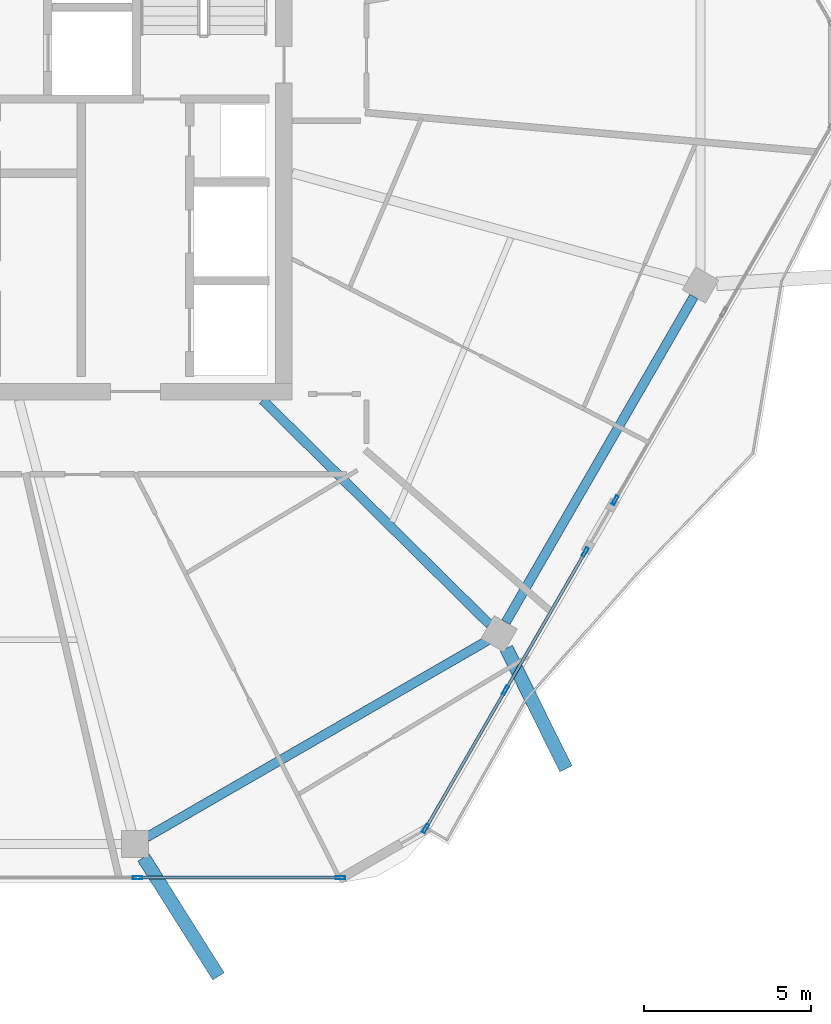
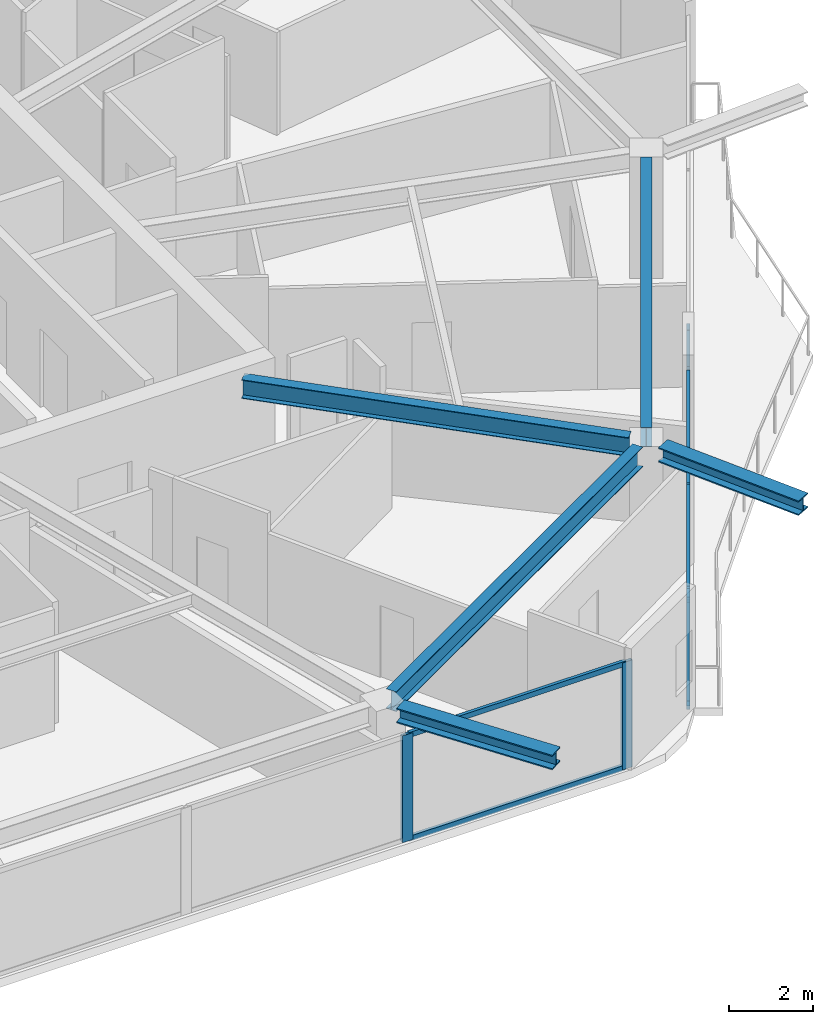
# One storey, part 5 of 19: 12 members, 5 beams, 3 elements without a shape of their own.
"""IFC4 building model written with IfcOpenShell, lengths in metres."""

from ifc_helpers import new_model, si_unit, direction, frame, origin, origin_2d, place, context, subcontext, project, spatial, hollow_rectangle, i_section, extrude, material, material_profile, profile_set, type_object, element, aggregate, save


model = new_model("IFC4")

# Units and contexts
model_context = context("Model", 3, precision=1e-05, world=origin(), true_north=direction((0.0, 1.0)))
body_context = subcontext(model_context, "Body", "Model", "MODEL_VIEW")
ifc_project = project(units=[si_unit("LENGTHUNIT", "METRE"), si_unit("AREAUNIT", "SQUARE_METRE"), si_unit("VOLUMEUNIT", "CUBIC_METRE"), si_unit("PLANEANGLEUNIT", "RADIAN"), si_unit("MASSUNIT", "GRAM", prefix="KILO")], contexts=[model_context])

# Site, building, storey
site_placement = place(None, origin())
site = spatial("IfcSite", under=ifc_project, at=site_placement, CompositionType="ELEMENT")
building_placement = place(site_placement, origin())
building = spatial("IfcBuilding", under=site, at=building_placement, Name="Zuhravey Tower", CompositionType="ELEMENT")
storey_placement = place(building_placement, frame((0.0, 0.0, 327.199951171875)))
storey = spatial("IfcBuildingStorey", under=building, at=storey_placement, Name="L83", CompositionType="ELEMENT", Elevation=327.199951171875)

# Curtain wall, member
ifc_material_1 = material(Name="Thermally broken anodised aluminium", Category="aluminium")
curtain_wall_type = type_object("IfcCurtainWallType", Name="Zone 3-4 High-Rise Curtain Wall CW4", PredefinedType="NOTDEFINED", material=ifc_material_1)
curtain_wall_1_placement = place(storey_placement, origin())
curtain_wall_1 = element("IfcCurtainWall", 1, at=curtain_wall_1_placement, inside=storey, type_object=curtain_wall_type, Name="L83 CW4 CW-L83-F6-1", PredefinedType="NOTDEFINED")
ifc_material_2 = material(Name="Anodised aluminium", Category="aluminium")
ifc_material_profile_1 = material_profile(ifc_material_2, hollow_rectangle(XDim=0.090087890625, YDim=0.284912109375, WallThickness=0.0048828125, at=origin_2d()), Name="ALU-RHS-90x285x5")
ifc_profile_set_1 = profile_set([ifc_material_profile_1], Name="Anodised aluminium")
member_type_1 = type_object("IfcMemberType", Name="Curtain-Wall Mullion 90x180", PredefinedType="MULLION", material=ifc_profile_set_1)
member_1_placement = place(storey_placement, frame((56.43212890625, 19.241455078125, 0.0), z_axis=(0.0, 0.0, 1.0), x_axis=(0.866027278532, -0.499996752827, 0.0)))
member_1 = element("IfcMember", 2, at=member_1_placement, type_object=member_type_1, Name="CW4 mullion 3", PredefinedType="MULLION", context=body_context, shape_type="SweptSolid", body=[
    extrude(hollow_rectangle(XDim=0.090087890625, YDim=0.284912109375, WallThickness=0.0048828125, at=origin_2d()), origin(), (0.0, 0.0, 1.0), 3.1220703125),
])
aggregate(curtain_wall_1, [member_1])

# Curtain wall, members
curtain_wall_2_placement = place(storey_placement, origin())
curtain_wall_2 = element("IfcCurtainWall", 3, at=curtain_wall_2_placement, inside=storey, type_object=curtain_wall_type, Name="L83 CW4 CW-L83-F6-2", PredefinedType="NOTDEFINED")
member_2_placement = place(storey_placement, frame((55.537109375, 17.691162109375, 0.0), z_axis=(0.0, 0.0, 1.0), x_axis=(0.866024248872, -0.500002000362, 0.0)))
member_2 = element("IfcMember", 4, at=member_2_placement, type_object=member_type_1, Name="CW4 mullion 1", PredefinedType="MULLION", context=body_context, shape_type="SweptSolid", body=[
    extrude(hollow_rectangle(XDim=0.090087890625, YDim=0.284912109375, WallThickness=0.0048828125, at=origin_2d()), origin(), (0.0, 0.0, 1.0), 3.1220703125),
])
member_3_placement = place(storey_placement, frame((53.144287109375, 13.546875, 0.0), z_axis=(0.0, 0.0, 1.0), x_axis=(0.866024248872, -0.500002000362, 0.0)))
member_3 = element("IfcMember", 5, at=member_3_placement, type_object=member_type_1, Name="CW4 mullion 2", PredefinedType="MULLION", context=body_context, shape_type="SweptSolid", body=[
    extrude(hollow_rectangle(XDim=0.090087890625, YDim=0.284912109375, WallThickness=0.0048828125, at=origin_2d()), origin(), (0.0, 0.0, 1.0), 3.1220703125),
])
member_4_placement = place(storey_placement, frame((50.751708984375, 9.40234375, 0.0), z_axis=(0.0, 0.0, 1.0), x_axis=(0.866024248872, -0.500002000362, 0.0)))
member_4 = element("IfcMember", 6, at=member_4_placement, type_object=member_type_1, Name="CW4 mullion 3", PredefinedType="MULLION", context=body_context, shape_type="SweptSolid", body=[
    extrude(hollow_rectangle(XDim=0.090087890625, YDim=0.284912109375, WallThickness=0.0048828125, at=origin_2d()), origin(), (0.0, 0.0, 1.0), 3.1220703125),
])

curtain_wall_3_placement = place(storey_placement, origin())
curtain_wall_3 = element("IfcCurtainWall", 7, at=curtain_wall_3_placement, inside=storey, type_object=curtain_wall_type, Name="L83 CW4 CW-L83-F5-1", PredefinedType="NOTDEFINED")
member_5_placement = place(storey_placement, frame((48.1943359375, 7.92578125, 0.0), z_axis=(0.0, 0.0, 1.0), x_axis=(0.0, -1.0, 0.0)))
member_5 = element("IfcMember", 8, at=member_5_placement, type_object=member_type_1, Name="CW4 mullion 1", PredefinedType="MULLION", context=body_context, shape_type="SweptSolid", body=[
    extrude(hollow_rectangle(XDim=0.090087890625, YDim=0.284912109375, WallThickness=0.0048828125, at=origin_2d()), origin(), (0.0, 0.0, 1.0), 3.1220703125),
])
member_6_placement = place(storey_placement, frame((42.11962890625, 7.92578125, 0.0), z_axis=(0.0, 0.0, 1.0), x_axis=(0.0, -1.0, 0.0)))
member_6 = element("IfcMember", 9, at=member_6_placement, type_object=member_type_1, Name="CW4 mullion 2", PredefinedType="MULLION", context=body_context, shape_type="SweptSolid", body=[
    extrude(hollow_rectangle(XDim=0.090087890625, YDim=0.284912109375, WallThickness=0.0048828125, at=origin_2d()), origin(), (0.0, 0.0, 1.0), 3.1220703125),
])

# Member
ifc_material_profile_2 = material_profile(ifc_material_2, hollow_rectangle(XDim=0.090087890625, YDim=0.14990234375, WallThickness=0.0048828125, at=origin_2d()), Name="ALU-RHS-90x150x5")
ifc_profile_set_2 = profile_set([ifc_material_profile_2], Name="Anodised aluminium")
member_type_2 = type_object("IfcMemberType", Name="Curtain-Wall Transom 90x150", PredefinedType="USERDEFINED", material=ifc_profile_set_2)
member_7_placement = place(storey_placement, frame((55.5146484375, 17.65234375, 0.045166015625), z_axis=(-0.499963990544, -0.866046192855, 0.0), x_axis=(0.866046192855, -0.499963990544, 0.0)))
member_7 = element("IfcMember", 10, at=member_7_placement, type_object=member_type_2, Name="CW4 transom 1.1", ObjectType="TRANSOM", PredefinedType="USERDEFINED", context=body_context, shape_type="SweptSolid", body=[
    extrude(hollow_rectangle(XDim=0.090087890625, YDim=0.14990234375, WallThickness=0.0048828125, at=origin_2d()), origin(), (0.0, 0.0, 1.0), 4.695556640625),
])

member_8_placement = place(storey_placement, frame((55.5146484375, 17.65234375, 3.0771484375), z_axis=(-0.499963990544, -0.866046192855, 0.0), x_axis=(0.866046192855, -0.499963990544, 0.0)))
member_8 = element("IfcMember", 11, at=member_8_placement, type_object=member_type_2, Name="CW4 transom 1.2", ObjectType="TRANSOM", PredefinedType="USERDEFINED", context=body_context, shape_type="SweptSolid", body=[
    extrude(hollow_rectangle(XDim=0.090087890625, YDim=0.14990234375, WallThickness=0.0048828125, at=origin_2d()), origin(), (0.0, 0.0, 1.0), 4.695556640625),
])

member_9_placement = place(storey_placement, frame((53.121826171875, 13.5078125, 0.045166015625), z_axis=(-0.499986503906, -0.866033195618, 0.0), x_axis=(0.866033195618, -0.499986503906, 0.0)))
member_9 = element("IfcMember", 12, at=member_9_placement, type_object=member_type_2, Name="CW4 transom 2.1", ObjectType="TRANSOM", PredefinedType="USERDEFINED", context=body_context, shape_type="SweptSolid", body=[
    extrude(hollow_rectangle(XDim=0.090087890625, YDim=0.14990234375, WallThickness=0.0048828125, at=origin_2d()), origin(), (0.0, 0.0, 1.0), 4.695556640625),
])

member_10_placement = place(storey_placement, frame((53.121826171875, 13.5078125, 3.0771484375), z_axis=(-0.499986503906, -0.866033195618, 0.0), x_axis=(0.866033195618, -0.499986503906, 0.0)))
member_10 = element("IfcMember", 13, at=member_10_placement, type_object=member_type_2, Name="CW4 transom 2.2", ObjectType="TRANSOM", PredefinedType="USERDEFINED", context=body_context, shape_type="SweptSolid", body=[
    extrude(hollow_rectangle(XDim=0.090087890625, YDim=0.14990234375, WallThickness=0.0048828125, at=origin_2d()), origin(), (0.0, 0.0, 1.0), 4.695556640625),
])

aggregate(curtain_wall_2, [member_2, member_3, member_4, member_7, member_8, member_9, member_10])

member_11_placement = place(storey_placement, frame((48.1494140625, 7.92578125, 0.045166015625), z_axis=(-1.0, 0.0, 0.0), x_axis=(0.0, -1.0, 0.0)))
member_11 = element("IfcMember", 14, at=member_11_placement, type_object=member_type_2, Name="CW4 transom 1.1", ObjectType="TRANSOM", PredefinedType="USERDEFINED", context=body_context, shape_type="SweptSolid", body=[
    extrude(hollow_rectangle(XDim=0.090087890625, YDim=0.14990234375, WallThickness=0.0048828125, at=origin_2d()), origin(), (0.0, 0.0, 1.0), 5.98486328125),
])

member_12_placement = place(storey_placement, frame((48.1494140625, 7.92578125, 3.0771484375), z_axis=(-1.0, 0.0, 0.0), x_axis=(0.0, -1.0, 0.0)))
member_12 = element("IfcMember", 15, at=member_12_placement, type_object=member_type_2, Name="CW4 transom 1.2", ObjectType="TRANSOM", PredefinedType="USERDEFINED", context=body_context, shape_type="SweptSolid", body=[
    extrude(hollow_rectangle(XDim=0.090087890625, YDim=0.14990234375, WallThickness=0.0048828125, at=origin_2d()), origin(), (0.0, 0.0, 1.0), 5.98486328125),
])

aggregate(curtain_wall_3, [member_5, member_6, member_11, member_12])

# Beams
ifc_material_3 = material(Name="Steel SM460", Category="steel")
ifc_material_profile_3 = material_profile(ifc_material_3, i_section(OverallWidth=0.406982421875, OverallDepth=0.427978515625, WebThickness=0.02001953125, FlangeThickness=0.034912109375, at=origin_2d()), Name="H-428x407x20x35")
ifc_profile_set_3 = profile_set([ifc_material_profile_3], Name="Steel SM460")
beam_type_1 = type_object("IfcBeamType", Name="Exoskeleton Node Tie Beam H428x407", PredefinedType="BEAM", material=ifc_profile_set_3)
beam_1_placement = place(storey_placement, frame((42.293212890625, 8.532470703125, 3.3359375), z_axis=(0.533546052647, -0.845771014935, 0.0), x_axis=(0.845771014935, 0.533546052647, 0.0)))
element("IfcBeam", 16, at=beam_1_placement, inside=storey, type_object=beam_type_1, Name="L83 Exoskeleton Node Tie NT1-10", PredefinedType="BEAM", context=body_context, shape_type="SweptSolid", body=[
    extrude(i_section(OverallWidth=0.406982421875, OverallDepth=0.427978515625, WebThickness=0.02001953125, FlangeThickness=0.034912109375, at=origin_2d()), origin(), (0.0, 0.0, 1.0), 4.2138671875),
])
beam_2_placement = place(storey_placement, frame((53.169677734375, 14.803955078125, 3.3359375), z_axis=(0.443647780465, -0.896201231247, 0.0), x_axis=(0.896201231247, 0.443647780465, 0.0)))
element("IfcBeam", 17, at=beam_2_placement, inside=storey, type_object=beam_type_1, Name="L83 Exoskeleton Node Tie NT1-11", PredefinedType="BEAM", context=body_context, shape_type="SweptSolid", body=[
    extrude(i_section(OverallWidth=0.406982421875, OverallDepth=0.427978515625, WebThickness=0.02001953125, FlangeThickness=0.034912109375, at=origin_2d()), origin(), (0.0, 0.0, 1.0), 4.02978515625),
])
ifc_material_4 = material(Name="Steel SM355", Category="steel")
ifc_material_profile_4 = material_profile(ifc_material_4, i_section(OverallWidth=0.280029296875, OverallDepth=0.580078125, WebThickness=0.011962890625, FlangeThickness=0.01904296875, at=origin_2d()), Name="H-580x280x12x19")
ifc_profile_set_4 = profile_set([ifc_material_profile_4], Name="Steel SM355")
beam_type_2 = type_object("IfcBeamType", Name="Perimeter Ring Beam H580x280", PredefinedType="BEAM", material=ifc_profile_set_4)
beam_3_placement = place(storey_placement, frame((42.3876953125, 9.137451171875, 3.260009765625), z_axis=(0.866023977509, 0.500002470373, 0.0), x_axis=(-0.500002470373, 0.866023977509, 0.0)))
element("IfcBeam", 18, at=beam_3_placement, inside=storey, type_object=beam_type_2, Name="L83 PB4 BM-L83-PB-10", PredefinedType="BEAM", context=body_context, shape_type="SweptSolid", body=[
    extrude(i_section(OverallWidth=0.280029296875, OverallDepth=0.580078125, WebThickness=0.011962890625, FlangeThickness=0.01904296875, at=origin_2d()), origin(), (0.0, 0.0, 1.0), 11.798828125),
])
beam_4_placement = place(storey_placement, frame((53.15625, 15.58740234375, 3.260009765625), z_axis=(0.500006198144, 0.866021825255, 0.0), x_axis=(-0.866021825255, 0.500006198144, 0.0)))
element("IfcBeam", 19, at=beam_4_placement, inside=storey, type_object=beam_type_2, Name="L83 PB4 BM-L83-PB-11", PredefinedType="BEAM", context=body_context, shape_type="SweptSolid", body=[
    extrude(i_section(OverallWidth=0.280029296875, OverallDepth=0.580078125, WebThickness=0.011962890625, FlangeThickness=0.01904296875, at=origin_2d()), origin(), (0.0, 0.0, 1.0), 11.271240234375),
])
ifc_material_profile_5 = material_profile(ifc_material_4, i_section(OverallWidth=0.280029296875, OverallDepth=0.550048828125, WebThickness=0.010986328125, FlangeThickness=0.01806640625, at=origin_2d()), Name="H-550x280x11x18")
ifc_profile_set_5 = profile_set([ifc_material_profile_5], Name="Steel SM355")
beam_type_3 = type_object("IfcBeamType", Name="Radial Primary Girder H550x280", PredefinedType="BEAM", material=ifc_profile_set_5)
beam_5_placement = place(storey_placement, frame((45.865234375, 22.2470703125, 3.275146484375), z_axis=(0.711153035666, -0.703037239314, 0.0), x_axis=(0.703037239314, 0.711153035666, 0.0)))
element("IfcBeam", 20, at=beam_5_placement, inside=storey, type_object=beam_type_3, Name="L83 RG4 BM-L83-RAD-11", PredefinedType="BEAM", context=body_context, shape_type="SweptSolid", body=[
    extrude(i_section(OverallWidth=0.280029296875, OverallDepth=0.550048828125, WebThickness=0.010986328125, FlangeThickness=0.01806640625, at=origin_2d()), origin(), (0.0, 0.0, 1.0), 9.566162109375),
])

save(model, "model.ifc")
